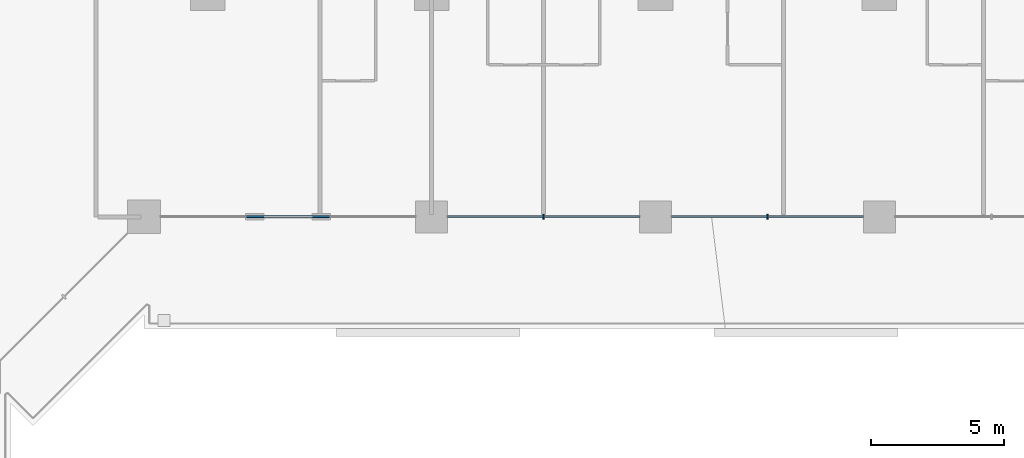
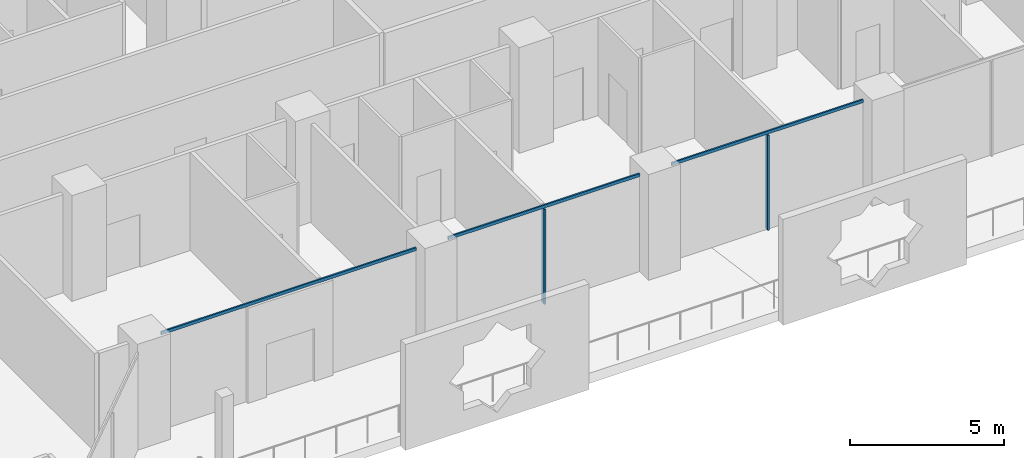
# One storey, part 6 of 26: 5 members, 1 element without a shape of its own.
"""IFC4 building model written with IfcOpenShell, lengths in metres."""

from ifc_helpers import new_model, si_unit, direction, frame, origin, origin_2d, place, context, subcontext, project, spatial, rectangle, extrude, material, layer, layer_set, material_profile, profile_set, type_object, element, aggregate, save


model = new_model("IFC4")

# Units and contexts
model_context = context("Model", 3, precision=1e-05, world=origin(), true_north=direction((0.0, 1.0)))
body_context = subcontext(model_context, "Body", "Model", "MODEL_VIEW")
ifc_project = project(units=[si_unit("LENGTHUNIT", "METRE"), si_unit("AREAUNIT", "SQUARE_METRE"), si_unit("VOLUMEUNIT", "CUBIC_METRE"), si_unit("PLANEANGLEUNIT", "RADIAN"), si_unit("MASSUNIT", "GRAM", prefix="KILO")], contexts=[model_context])

# Site, building, storey
site_placement = place(None, origin())
site = spatial("IfcSite", under=ifc_project, at=site_placement, CompositionType="ELEMENT")
building_placement = place(site_placement, origin())
building = spatial("IfcBuilding", under=site, at=building_placement, Name="Kawkab Arch Medical Tower", CompositionType="ELEMENT")
storey_placement = place(building_placement, frame((0.0, 0.0, 51.800048828125)))
storey = spatial("IfcBuildingStorey", under=building, at=storey_placement, Name="L11", CompositionType="ELEMENT", Elevation=51.800048828125)

# Curtain wall, members
ifc_material_1 = material(Name="Bronze anodised aluminium curtain wall frame", Category="aluminium")
ifc_layer = layer(ifc_material_1, 0.159912109375)
ifc_layer_set = layer_set([ifc_layer], Name="Bronze anodised aluminium curtain wall frame")
curtain_wall_type = type_object("IfcCurtainWallType", Name="CW1 ward curtain wall", PredefinedType="NOTDEFINED", material=ifc_layer_set)
curtain_wall_placement = place(storey_placement, origin())
curtain_wall = element("IfcCurtainWall", 1, at=curtain_wall_placement, inside=storey, type_object=curtain_wall_type, Name="CW1 Ward curtain wall R07", PredefinedType="NOTDEFINED")
ifc_material_2 = material(Name="Bronze anodised aluminium curtain wall frame", Category="aluminium")
ifc_material_profile_1 = material_profile(ifc_material_2, rectangle(XDim=0.179931640625, YDim=0.06005859375, at=origin_2d()), Name="AL 60x180")
ifc_profile_set_1 = profile_set([ifc_material_profile_1], Name="Bronze anodised aluminium curtain wall frame")
member_type_1 = type_object("IfcMemberType", Name="CW1 mullion 60 x 180", PredefinedType="MULLION", material=ifc_profile_set_1)
member_1_placement = place(storey_placement, frame((46.199951171875, -25.199951171875, 0.0), z_axis=(0.0, 0.0, 1.0), x_axis=(0.0, 1.0, 0.0)))
member_1 = element("IfcMember", 2, at=member_1_placement, type_object=member_type_1, Name="CW1 mullion 2.1", PredefinedType="MULLION", context=body_context, shape_type="SweptSolid", body=[
    extrude(rectangle(XDim=0.179931640625, YDim=0.06005859375, at=origin_2d()), origin(), (0.0, 0.0, 1.0), 3.780029296875),
])
member_2_placement = place(storey_placement, frame((54.60009765625, -25.199951171875, 0.0), z_axis=(0.0, 0.0, 1.0), x_axis=(0.0, 1.0, 0.0)))
member_2 = element("IfcMember", 3, at=member_2_placement, type_object=member_type_1, Name="CW1 mullion 3.1", PredefinedType="MULLION", context=body_context, shape_type="SweptSolid", body=[
    extrude(rectangle(XDim=0.179931640625, YDim=0.06005859375, at=origin_2d()), origin(), (0.0, 0.0, 1.0), 3.780029296875),
])
ifc_material_3 = material(Name="Bronze anodised aluminium curtain wall frame", Category="aluminium")
ifc_material_profile_2 = material_profile(ifc_material_3, rectangle(XDim=0.06005859375, YDim=0.1201171875, at=origin_2d()), Name="AL 60x120")
ifc_profile_set_2 = profile_set([ifc_material_profile_2], Name="Bronze anodised aluminium curtain wall frame")
member_type_2 = type_object("IfcMemberType", Name="CW1 transom 120 x 60", PredefinedType="USERDEFINED", material=ifc_profile_set_2)
member_3_placement = place(storey_placement, frame((31.824951171875, -25.199951171875, 3.83984375), z_axis=(1.0, 0.0, 0.0), x_axis=(0.0, 1.0, 0.0)))
member_3 = element("IfcMember", 4, at=member_3_placement, type_object=member_type_2, Name="CW1 transom 1", ObjectType="TRANSOM", PredefinedType="USERDEFINED", context=body_context, shape_type="SweptSolid", body=[
    extrude(rectangle(XDim=0.06005859375, YDim=0.1201171875, at=origin_2d()), origin(), (0.0, 0.0, 1.0), 9.574951171875),
])
member_4_placement = place(storey_placement, frame((42.60009765625, -25.199951171875, 3.83984375), z_axis=(1.0, 0.0, 0.0), x_axis=(0.0, 1.0, 0.0)))
member_4 = element("IfcMember", 5, at=member_4_placement, type_object=member_type_2, Name="CW1 transom 2", ObjectType="TRANSOM", PredefinedType="USERDEFINED", context=body_context, shape_type="SweptSolid", body=[
    extrude(rectangle(XDim=0.06005859375, YDim=0.1201171875, at=origin_2d()), origin(), (0.0, 0.0, 1.0), 7.199951171875),
])
member_5_placement = place(storey_placement, frame((51.0, -25.199951171875, 3.83984375), z_axis=(1.0, 0.0, 0.0), x_axis=(0.0, 1.0, 0.0)))
member_5 = element("IfcMember", 6, at=member_5_placement, type_object=member_type_2, Name="CW1 transom 3", ObjectType="TRANSOM", PredefinedType="USERDEFINED", context=body_context, shape_type="SweptSolid", body=[
    extrude(rectangle(XDim=0.06005859375, YDim=0.1201171875, at=origin_2d()), origin(), (0.0, 0.0, 1.0), 7.199951171875),
])
aggregate(curtain_wall, [member_3, member_4, member_1, member_5, member_2])

save(model, "model.ifc")
